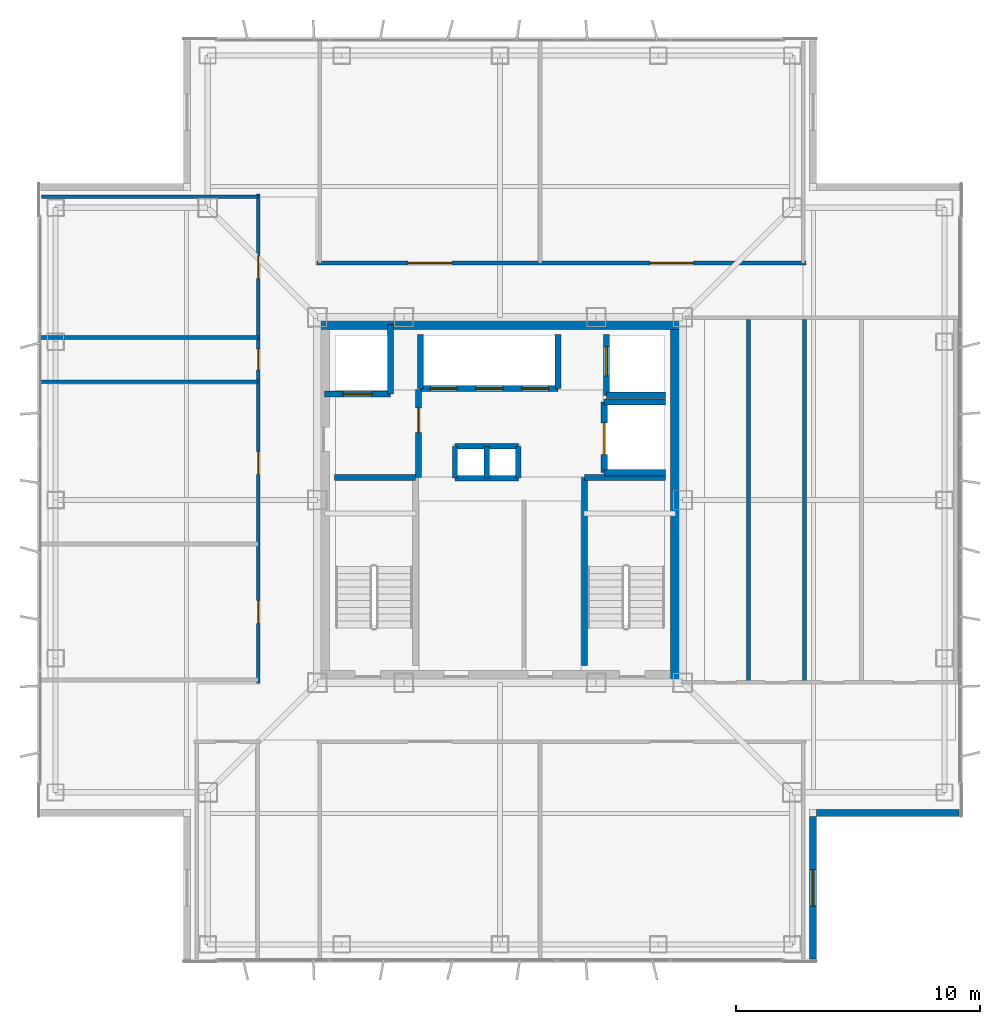
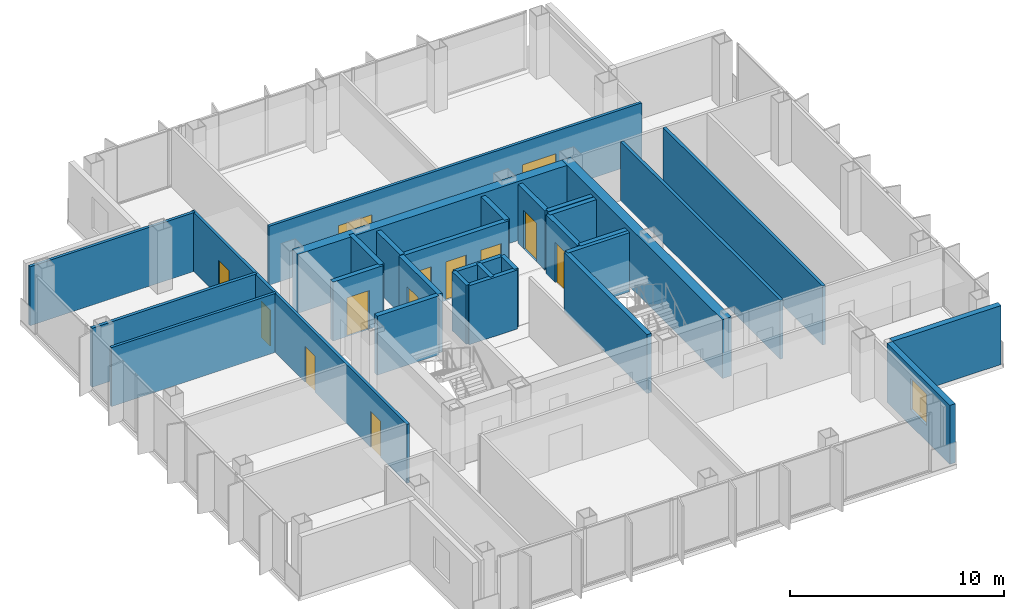
# One storey, part 8 of 15: 30 walls, 13 doors, 1 window, 14 openings.
"""IFC4 building model written with IfcOpenShell, lengths in metres."""

from ifc_helpers import new_model, si_unit, direction, frame, frame_2d, origin, place, context, subcontext, project, spatial, rectangle, extrude, material, layer, layer_set, type_object, element, fill, save


model = new_model("IFC4")

# Units and contexts
model_context = context("Model", 3, precision=1e-05, world=origin(), true_north=direction((0.0, 1.0)))
body_context = subcontext(model_context, "Body", "Model", "MODEL_VIEW")
ifc_project = project(units=[si_unit("LENGTHUNIT", "METRE"), si_unit("AREAUNIT", "SQUARE_METRE"), si_unit("VOLUMEUNIT", "CUBIC_METRE"), si_unit("PLANEANGLEUNIT", "RADIAN"), si_unit("MASSUNIT", "GRAM", prefix="KILO")], contexts=[model_context])

# Site, building, storey
site_placement = place(None, origin())
site = spatial("IfcSite", under=ifc_project, at=site_placement, CompositionType="ELEMENT")
building_placement = place(site_placement, origin())
building = spatial("IfcBuilding", under=site, at=building_placement, Name="Trevonay Congress Spire", CompositionType="ELEMENT")
storey_placement = place(building_placement, frame((0.0, 0.0, 282.800048828125)))
storey = spatial("IfcBuildingStorey", under=building, at=storey_placement, Name="L74", CompositionType="ELEMENT", Elevation=282.800048828125)

# Walls
ifc_material_1 = material(Name="Concrete C50/60", Category="concrete")
ifc_layer_1 = layer(ifc_material_1, 0.5, Name="Concrete C50/60")
ifc_layer_set_1 = layer_set([ifc_layer_1], Name="Concrete C50/60")
wall_type_1 = type_object("IfcWallType", Name="WAL-CORE-500", PredefinedType="SHEAR", material=ifc_layer_set_1)
for number, where, z_axis, x_axis, name in (
    (1, (-7.5, 7.25, 0.0), (0.0, 0.0, 1.0), (1.0, 0.0, 0.0), "L74 North structural core shear wall"),
    (2, (7.25, -7.5, 0.0), (0.0, 0.0, 1.0), (0.0, 1.0, 0.0), "L74 East structural core shear wall"),
):
    element("IfcWall", number, at=place(storey_placement, frame(where, z_axis=z_axis, x_axis=x_axis)), inside=storey, type_object=wall_type_1, Name=name, PredefinedType="SHEAR", context=body_context, shape_type="SweptSolid", body=[
        extrude(rectangle(XDim=15.0, YDim=0.5, at=frame_2d((7.5, 0.0))), origin(), (0.0, 0.0, 1.0), 3.35986328125),
    ])

# Wall, openings, doors
ifc_material_2 = material(Name="Concrete C40/50", Category="concrete")
ifc_layer_2 = layer(ifc_material_2, 0.14990234375, Name="Concrete C40/50")
ifc_layer_set_2 = layer_set([ifc_layer_2], Name="Concrete C40/50")
wall_type_2 = type_object("IfcWallType", Name="WAL-CORR-150", PredefinedType="PARTITIONING", material=ifc_layer_set_2)
wall_1_placement = place(storey_placement, frame((-9.929931640625, -7.52001953125, 0.0), z_axis=(0.0, 0.0, 1.0), x_axis=(0.0, 1.0, 0.0)))
wall_1 = element("IfcWall", 3, at=wall_1_placement, inside=storey, type_object=wall_type_2, Name="L74 interior wall WP-L74NW-COR", PredefinedType="PARTITIONING", context=body_context, shape_type="SweptSolid", body=[
    extrude(rectangle(XDim=20.090087890625, YDim=0.14990234375, at=frame_2d((10.044921875, 0.0))), origin(), (0.0, 0.0, 1.0), 3.35986328125),
])
opening_1_placement = place(wall_1_placement, frame((2.445068359375, 0.0, 0.0)))
opening_1 = element("IfcOpeningElement", 4, at=opening_1_placement, cuts=wall_1, Name="Opening D07", PredefinedType="OPENING", context=body_context, shape_type="SweptSolid", body=[
    extrude(rectangle(XDim=0.949951171875, YDim=2.06005859375, at=frame_2d((0.47509765625, 1.030029296875))), frame((0.0, 0.0849609375, 0.0), z_axis=(0.0, -1.0, 0.0), x_axis=(1.0, 0.0, 0.0)), (0.0, 0.0, 1.0), 0.169921875),
])
opening_2_placement = place(wall_1_placement, frame((8.570068359375, 0.0, 0.0)))
opening_2 = element("IfcOpeningElement", 5, at=opening_2_placement, cuts=wall_1, Name="Opening D07", PredefinedType="OPENING", context=body_context, shape_type="SweptSolid", body=[
    extrude(rectangle(XDim=0.949951171875, YDim=2.06005859375, at=frame_2d((0.47509765625, 1.030029296875))), frame((0.0, 0.0849609375, 0.0), z_axis=(0.0, -1.0, 0.0), x_axis=(1.0, 0.0, 0.0)), (0.0, 0.0, 1.0), 0.169921875),
])
opening_3_placement = place(wall_1_placement, frame((12.860107421875, 0.0, 0.0)))
opening_3 = element("IfcOpeningElement", 6, at=opening_3_placement, cuts=wall_1, Name="Opening D10", PredefinedType="OPENING", context=body_context, shape_type="SweptSolid", body=[
    extrude(rectangle(XDim=0.85009765625, YDim=2.050048828125, at=frame_2d((0.425048828125, 1.02490234375))), frame((0.0, 0.0849609375, 0.0), z_axis=(0.0, -1.0, 0.0), x_axis=(1.0, 0.0, 0.0)), (0.0, 0.0, 1.0), 0.169921875),
])
opening_4_placement = place(wall_1_placement, frame((16.610107421875, 0.0, 0.0)))
opening_4 = element("IfcOpeningElement", 7, at=opening_4_placement, cuts=wall_1, Name="Opening D07", PredefinedType="OPENING", context=body_context, shape_type="SweptSolid", body=[
    extrude(rectangle(XDim=0.949951171875, YDim=2.06005859375, at=frame_2d((0.47509765625, 1.030029296875))), frame((0.0, 0.0849609375, 0.0), z_axis=(0.0, -1.0, 0.0), x_axis=(1.0, 0.0, 0.0)), (0.0, 0.0, 1.0), 0.169921875),
])
ifc_material_3 = material(Name="Pale Anodised Aluminium EN AW-6063-T6", Category="aluminium")
door_type_1 = type_object("IfcDoorType", Name="DOR-OFFICE-95", OperationType="NOTDEFINED", PredefinedType="DOOR", material=ifc_material_3)
door_1_placement = place(opening_1_placement, origin())
door_1 = element("IfcDoor", 8, at=door_1_placement, inside=storey, type_object=door_type_1, Name="L74 Green Bonds Desk Office Door", OperationType="SINGLE_SWING_LEFT", OverallHeight=2.06005859375, OverallWidth=0.949951171875, PredefinedType="DOOR", context=body_context, shape_type="SweptSolid", body=[
    extrude(rectangle(XDim=0.949951171875, YDim=2.06005859375, at=frame_2d((0.47509765625, 1.030029296875))), frame((0.0, 0.02490234375, 0.0), z_axis=(0.0, -1.0, 0.0), x_axis=(1.0, 0.0, 0.0)), (0.0, 0.0, 1.0), 0.050048828125),
])
fill(opening_1, door_1)
door_2_placement = place(opening_2_placement, origin())
door_2 = element("IfcDoor", 9, at=door_2_placement, inside=storey, type_object=door_type_1, Name="L74 Infrastructure Desk Office Door", OperationType="SINGLE_SWING_RIGHT", OverallHeight=2.06005859375, OverallWidth=0.949951171875, PredefinedType="DOOR", context=body_context, shape_type="SweptSolid", body=[
    extrude(rectangle(XDim=0.949951171875, YDim=2.06005859375, at=frame_2d((0.47509765625, 1.030029296875))), frame((0.0, 0.02490234375, 0.0), z_axis=(0.0, -1.0, 0.0), x_axis=(1.0, 0.0, 0.0)), (0.0, 0.0, 1.0), 0.050048828125),
])
fill(opening_2, door_2)
door_3_placement = place(opening_4_placement, origin())
door_3 = element("IfcDoor", 10, at=door_3_placement, inside=storey, type_object=door_type_1, Name="L74 Floor Supplies and Copy Room Door", OperationType="SINGLE_SWING_RIGHT", OverallHeight=2.06005859375, OverallWidth=0.949951171875, PredefinedType="DOOR", context=body_context, shape_type="SweptSolid", body=[
    extrude(rectangle(XDim=0.949951171875, YDim=2.06005859375, at=frame_2d((0.47509765625, 1.030029296875))), frame((0.0, 0.02490234375, 0.0), z_axis=(0.0, -1.0, 0.0), x_axis=(1.0, 0.0, 0.0)), (0.0, 0.0, 1.0), 0.050048828125),
])
fill(opening_4, door_3)
door_type_2 = type_object("IfcDoorType", Name="DOR-WC-85", OperationType="NOTDEFINED", PredefinedType="DOOR", material=ifc_material_3)
door_4_placement = place(opening_3_placement, origin())
door_4 = element("IfcDoor", 11, at=door_4_placement, inside=storey, type_object=door_type_2, Name="L74 Accessible WC Door", OperationType="SINGLE_SWING_LEFT", OverallHeight=2.050048828125, OverallWidth=0.85009765625, PredefinedType="DOOR", context=body_context, shape_type="SweptSolid", body=[
    extrude(rectangle(XDim=0.85009765625, YDim=2.050048828125, at=frame_2d((0.425048828125, 1.02490234375))), frame((0.0, 0.02490234375, 0.0), z_axis=(0.0, -1.0, 0.0), x_axis=(1.0, 0.0, 0.0)), (0.0, 0.0, 1.0), 0.050048828125),
])
fill(opening_3, door_4)

wall_2_placement = place(storey_placement, frame((-7.52001953125, 9.72998046875, 0.0), z_axis=(0.0, 0.0, 1.0), x_axis=(1.0, 0.0, 0.0)))
wall_2 = element("IfcWall", 12, at=wall_2_placement, inside=storey, type_object=wall_type_2, Name="L74 interior wall WP-L74N-COR", PredefinedType="PARTITIONING", context=body_context, shape_type="SweptSolid", body=[
    extrude(rectangle(XDim=20.090087890625, YDim=0.14990234375, at=frame_2d((10.044921875, 0.0))), origin(), (0.0, 0.0, 1.0), 3.35986328125),
])
opening_5_placement = place(wall_2_placement, frame((3.7451171875, 0.0, 0.0)))
opening_5 = element("IfcOpeningElement", 13, at=opening_5_placement, cuts=wall_2, Name="Opening D09", PredefinedType="OPENING", context=body_context, shape_type="SweptSolid", body=[
    extrude(rectangle(XDim=1.800048828125, YDim=2.080078125, at=frame_2d((0.89990234375, 1.0400390625))), frame((0.0, 0.0849609375, 0.0), z_axis=(0.0, -1.0, 0.0), x_axis=(1.0, 0.0, 0.0)), (0.0, 0.0, 1.0), 0.169921875),
])
opening_6_placement = place(wall_2_placement, frame((13.669921875, 0.0, 0.0)))
opening_6 = element("IfcOpeningElement", 14, at=opening_6_placement, cuts=wall_2, Name="Opening D09", PredefinedType="OPENING", context=body_context, shape_type="SweptSolid", body=[
    extrude(rectangle(XDim=1.800048828125, YDim=2.080078125, at=frame_2d((0.89990234375, 1.0400390625))), frame((0.0, 0.0849609375, 0.0), z_axis=(0.0, -1.0, 0.0), x_axis=(1.0, 0.0, 0.0)), (0.0, 0.0, 1.0), 0.169921875),
])
door_type_3 = type_object("IfcDoorType", Name="DOR-CONF-DBL", OperationType="DOUBLE_DOOR_SINGLE_SWING", PredefinedType="DOOR", material=ifc_material_3)
door_5_placement = place(opening_5_placement, origin())
door_5 = element("IfcDoor", 15, at=door_5_placement, inside=storey, type_object=door_type_3, Name="L74 Partner Dining Room Door", OperationType="DOUBLE_DOOR_SINGLE_SWING", OverallHeight=2.080078125, OverallWidth=1.800048828125, PredefinedType="DOOR", context=body_context, shape_type="SweptSolid", body=[
    extrude(rectangle(XDim=1.800048828125, YDim=2.080078125, at=frame_2d((0.89990234375, 1.0400390625))), frame((0.0, 0.02490234375, 0.0), z_axis=(0.0, -1.0, 0.0), x_axis=(1.0, 0.0, 0.0)), (0.0, 0.0, 1.0), 0.050048828125),
])
fill(opening_5, door_5)
door_6_placement = place(opening_6_placement, origin())
door_6 = element("IfcDoor", 16, at=door_6_placement, inside=storey, type_object=door_type_3, Name="L74 Finishing Pantry Kitchen Door", OperationType="DOUBLE_DOOR_SINGLE_SWING", OverallHeight=2.080078125, OverallWidth=1.800048828125, PredefinedType="DOOR", context=body_context, shape_type="SweptSolid", body=[
    extrude(rectangle(XDim=1.800048828125, YDim=2.080078125, at=frame_2d((0.89990234375, 1.0400390625))), frame((0.0, 0.02490234375, 0.0), z_axis=(0.0, -1.0, 0.0), x_axis=(1.0, 0.0, 0.0)), (0.0, 0.0, 1.0), 0.050048828125),
])
fill(opening_6, door_6)

# Wall, opening, window
ifc_material_4 = material(Name="Precast concrete C40/50", Category="concrete")
ifc_layer_3 = layer(ifc_material_4, 0.300048828125, Name="Precast concrete C40/50")
ifc_layer_set_3 = layer_set([ifc_layer_3], Name="Precast concrete C40/50")
wall_type_3 = type_object("IfcWallType", Name="WAL-EXT-PRECAST-300", PredefinedType="SOLIDWALL", material=ifc_layer_set_3)
wall_3_placement = place(storey_placement, frame((12.85009765625, -18.85009765625, 0.0), z_axis=(0.0, 0.0, 1.0), x_axis=(0.0, 1.0, 0.0)))
wall_3 = element("IfcWall", 17, at=wall_3_placement, inside=storey, type_object=wall_type_3, Name="L74 SE re-entrant notch exterior wall 1", PredefinedType="SOLIDWALL", context=body_context, shape_type="SweptSolid", body=[
    extrude(rectangle(XDim=5.85009765625, YDim=0.300048828125, at=frame_2d((2.925048828125, 0.0))), origin(), (0.0, 0.0, 1.0), 3.35986328125),
])
opening_7_placement = place(wall_3_placement, frame((2.175048828125, 0.0, 0.89990234375)))
opening_7 = element("IfcOpeningElement", 18, at=opening_7_placement, cuts=wall_3, Name="Opening WN03", PredefinedType="OPENING", context=body_context, shape_type="SweptSolid", body=[
    extrude(rectangle(XDim=1.5, YDim=1.800048828125, at=frame_2d((0.75, 0.89990234375))), frame((0.0, 0.16015625, 0.0), z_axis=(0.0, -1.0, 0.0), x_axis=(1.0, 0.0, 0.0)), (0.0, 0.0, 1.0), 0.320068359375),
])
ifc_material_5 = material(Name="Insulated Low-E Vision Glass IGU", Category="glass")
window_type = type_object("IfcWindowType", Name="WIN-NOTCH-150X180", PartitioningType="SINGLE_PANEL", PredefinedType="WINDOW", material=ifc_material_5)
window_placement = place(opening_7_placement, origin())
window = element("IfcWindow", 19, at=window_placement, inside=storey, type_object=window_type, Name="L74 SE corner notch window", OverallHeight=1.800048828125, OverallWidth=1.5, PartitioningType="SINGLE_PANEL", PredefinedType="WINDOW", context=body_context, shape_type="SweptSolid", body=[
    extrude(rectangle(XDim=1.5, YDim=1.800048828125, at=frame_2d((0.75, 0.89990234375))), frame((0.0, 0.030029296875, 0.0), z_axis=(0.0, -1.0, 0.0), x_axis=(1.0, 0.0, 0.0)), (0.0, 0.0, 1.0), 0.06005859375),
])
fill(opening_7, window)

# Walls
wall_4_placement = place(storey_placement, frame((18.85009765625, -12.85009765625, 0.0), z_axis=(0.0, 0.0, 1.0), x_axis=(-1.0, 0.0, 0.0)))
element("IfcWall", 20, at=wall_4_placement, inside=storey, type_object=wall_type_3, Name="L74 SE re-entrant notch exterior wall 2", PredefinedType="SOLIDWALL", context=body_context, shape_type="SweptSolid", body=[
    extrude(rectangle(XDim=5.85009765625, YDim=0.300048828125, at=frame_2d((2.925048828125, 0.0))), origin(), (0.0, 0.0, 1.0), 3.35986328125),
])
ifc_layer_4 = layer(ifc_material_2, 0.14990234375, Name="Concrete C40/50")
ifc_layer_set_4 = layer_set([ifc_layer_4], Name="Concrete C40/50")
wall_type_4 = type_object("IfcWallType", Name="WAL-PART-150", PredefinedType="PARTITIONING", material=ifc_layer_set_4)
for number, where, z_axis, x_axis, name in (
    (21, (-18.820068359375, 4.85009765625, 0.0), (0.0, 0.0, 1.0), (1.0, 0.0, 0.0), "L74 interior wall WP-L74NW-DIV3"),
    (22, (-18.820068359375, 12.449951171875, 0.0), (0.0, 0.0, 1.0), (1.0, 0.0, 0.0), "L74 interior wall WP-L74NW-DIV4"),
):
    element("IfcWall", number, at=place(storey_placement, frame(where, z_axis=z_axis, x_axis=x_axis)), inside=storey, type_object=wall_type_4, Name=name, PredefinedType="PARTITIONING", context=body_context, shape_type="SweptSolid", body=[
        extrude(rectangle(XDim=8.89013671875, YDim=0.14990234375, at=frame_2d((4.445068359375, 0.0))), origin(), (0.0, 0.0, 1.0), 3.35986328125),
    ])
ifc_layer_5 = layer(ifc_material_2, 0.219970703125, Name="Concrete C40/50")
ifc_layer_set_5 = layer_set([ifc_layer_5], Name="Concrete C40/50")
wall_type_5 = type_object("IfcWallType", Name="WAL-SHAFT-220", PredefinedType="PARTITIONING", material=ifc_layer_set_5)
for number, where, z_axis, x_axis, name in (
    (23, (-1.85009765625, 2.199951171875, 0.0), (0.0, 0.0, 1.0), (1.0, 0.0, 0.0), "L74 interior shaft wall WSH-L74-RSR-N"),
    (24, (-1.85009765625, 0.89990234375, 0.0), (0.0, 0.0, 1.0), (1.0, 0.0, 0.0), "L74 interior shaft wall WSH-L74-RSR-S"),
):
    element("IfcWall", number, at=place(storey_placement, frame(where, z_axis=z_axis, x_axis=x_axis)), inside=storey, type_object=wall_type_5, Name=name, PredefinedType="PARTITIONING", context=body_context, shape_type="SweptSolid", body=[
        extrude(rectangle(XDim=2.60009765625, YDim=0.219970703125, at=frame_2d((1.300048828125, 0.0))), origin(), (0.0, 0.0, 1.0), 3.35986328125),
    ])
for number, where, z_axis, x_axis, name in (
    (25, (-0.550048828125, 0.89990234375, 0.0), (0.0, 0.0, 1.0), (0.0, 1.0, 0.0), "L74 interior shaft wall WSH-L74-RSR-M"),
    (26, (0.75, 0.89990234375, 0.0), (0.0, 0.0, 1.0), (0.0, 1.0, 0.0), "L74 interior shaft wall WSH-L74-RSR-E"),
    (27, (-1.85009765625, 0.89990234375, 0.0), (0.0, 0.0, 1.0), (0.0, 1.0, 0.0), "L74 interior shaft wall WSH-L74-RSR-W"),
):
    element("IfcWall", number, at=place(storey_placement, frame(where, z_axis=z_axis, x_axis=x_axis)), inside=storey, type_object=wall_type_5, Name=name, PredefinedType="PARTITIONING", context=body_context, shape_type="SweptSolid", body=[
        extrude(rectangle(XDim=1.300048828125, YDim=0.219970703125, at=frame_2d((0.64990234375, 0.0))), origin(), (0.0, 0.0, 1.0), 3.35986328125),
    ])

# Wall, openings, doors
ifc_layer_6 = layer(ifc_material_2, 0.25, Name="Concrete C40/50")
ifc_layer_set_6 = layer_set([ifc_layer_6], Name="Concrete C40/50")
wall_type_6 = type_object("IfcWallType", Name="WAL-SHAFT-250", PredefinedType="SHEAR", material=ifc_layer_set_6)
wall_5_placement = place(storey_placement, frame((-3.260009765625, 4.580078125, 0.0), z_axis=(0.0, 0.0, 1.0), x_axis=(1.0, 0.0, 0.0)))
wall_5 = element("IfcWall", 28, at=wall_5_placement, inside=storey, type_object=wall_type_6, Name="L74 interior shaft wall WSH-L74-B3-S", PredefinedType="SHEAR", context=body_context, shape_type="SweptSolid", body=[
    extrude(rectangle(XDim=5.639892578125, YDim=0.25, at=frame_2d((2.81982421875, 0.0))), origin(), (0.0, 0.0, 1.0), 3.35986328125),
])
opening_8_placement = place(wall_5_placement, frame((0.39990234375, 0.0, 0.0)))
opening_8 = element("IfcOpeningElement", 29, at=opening_8_placement, cuts=wall_5, Name="Opening LD03", PredefinedType="OPENING", context=body_context, shape_type="SweptSolid", body=[
    extrude(rectangle(XDim=1.10009765625, YDim=2.199951171875, at=frame_2d((0.550048828125, 1.10009765625))), frame((0.0, 0.135009765625, 0.0), z_axis=(0.0, -1.0, 0.0), x_axis=(1.0, 0.0, 0.0)), (0.0, 0.0, 1.0), 0.27001953125),
])
opening_9_placement = place(wall_5_placement, frame((2.280029296875, 0.0, 0.0)))
opening_9 = element("IfcOpeningElement", 30, at=opening_9_placement, cuts=wall_5, Name="Opening LD03", PredefinedType="OPENING", context=body_context, shape_type="SweptSolid", body=[
    extrude(rectangle(XDim=1.10009765625, YDim=2.199951171875, at=frame_2d((0.550048828125, 1.10009765625))), frame((0.0, 0.135009765625, 0.0), z_axis=(0.0, -1.0, 0.0), x_axis=(1.0, 0.0, 0.0)), (0.0, 0.0, 1.0), 0.27001953125),
])
opening_10_placement = place(wall_5_placement, frame((4.159912109375, 0.0, 0.0)))
opening_10 = element("IfcOpeningElement", 31, at=opening_10_placement, cuts=wall_5, Name="Opening LD03", PredefinedType="OPENING", context=body_context, shape_type="SweptSolid", body=[
    extrude(rectangle(XDim=1.10009765625, YDim=2.199951171875, at=frame_2d((0.550048828125, 1.10009765625))), frame((0.0, 0.135009765625, 0.0), z_axis=(0.0, -1.0, 0.0), x_axis=(1.0, 0.0, 0.0)), (0.0, 0.0, 1.0), 0.27001953125),
])
door_type_4 = type_object("IfcDoorType", Name="DOR-LIFT-LD03", OperationType="DOUBLE_DOOR_SLIDING", PredefinedType="DOOR", material=ifc_material_3)
door_7_placement = place(opening_8_placement, origin())
door_7 = element("IfcDoor", 32, at=door_7_placement, inside=storey, type_object=door_type_4, Name="L74 Passenger lift PL-07 landing door", OperationType="DOUBLE_DOOR_SLIDING", OverallHeight=2.199951171875, OverallWidth=1.10009765625, PredefinedType="DOOR", context=body_context, shape_type="SweptSolid", body=[
    extrude(rectangle(XDim=1.10009765625, YDim=2.199951171875, at=frame_2d((0.550048828125, 1.10009765625))), frame((0.0, 0.02490234375, 0.0), z_axis=(0.0, -1.0, 0.0), x_axis=(1.0, 0.0, 0.0)), (0.0, 0.0, 1.0), 0.050048828125),
])
fill(opening_8, door_7)
door_8_placement = place(opening_9_placement, origin())
door_8 = element("IfcDoor", 33, at=door_8_placement, inside=storey, type_object=door_type_4, Name="L74 Passenger lift PL-08 landing door", OperationType="DOUBLE_DOOR_SLIDING", OverallHeight=2.199951171875, OverallWidth=1.10009765625, PredefinedType="DOOR", context=body_context, shape_type="SweptSolid", body=[
    extrude(rectangle(XDim=1.10009765625, YDim=2.199951171875, at=frame_2d((0.550048828125, 1.10009765625))), frame((0.0, 0.02490234375, 0.0), z_axis=(0.0, -1.0, 0.0), x_axis=(1.0, 0.0, 0.0)), (0.0, 0.0, 1.0), 0.050048828125),
])
fill(opening_9, door_8)
door_9_placement = place(opening_10_placement, origin())
door_9 = element("IfcDoor", 34, at=door_9_placement, inside=storey, type_object=door_type_4, Name="L74 Passenger lift PL-09 landing door", OperationType="DOUBLE_DOOR_SLIDING", OverallHeight=2.199951171875, OverallWidth=1.10009765625, PredefinedType="DOOR", context=body_context, shape_type="SweptSolid", body=[
    extrude(rectangle(XDim=1.10009765625, YDim=2.199951171875, at=frame_2d((0.550048828125, 1.10009765625))), frame((0.0, 0.02490234375, 0.0), z_axis=(0.0, -1.0, 0.0), x_axis=(1.0, 0.0, 0.0)), (0.0, 0.0, 1.0), 0.050048828125),
])
fill(opening_10, door_9)

# Walls
for number, where, z_axis, x_axis, name in (
    (35, (-3.260009765625, 4.580078125, 0.0), (0.0, 0.0, 1.0), (0.0, 1.0, 0.0), "L74 interior shaft wall WSH-L74-B3-W"),
    (36, (2.3798828125, 4.580078125, 0.0), (0.0, 0.0, 1.0), (0.0, 1.0, 0.0), "L74 interior shaft wall WSH-L74-B3-E"),
):
    element("IfcWall", number, at=place(storey_placement, frame(where, z_axis=z_axis, x_axis=x_axis)), inside=storey, type_object=wall_type_6, Name=name, PredefinedType="SHEAR", context=body_context, shape_type="SweptSolid", body=[
        extrude(rectangle(XDim=2.219970703125, YDim=0.25, at=frame_2d((1.10986328125, 0.0))), origin(), (0.0, 0.0, 1.0), 3.35986328125),
    ])

# Wall, opening, door
wall_6_placement = place(storey_placement, frame((-7.199951171875, 4.35009765625, 0.0), z_axis=(0.0, 0.0, 1.0), x_axis=(1.0, 0.0, 0.0)))
wall_6 = element("IfcWall", 37, at=wall_6_placement, inside=storey, type_object=wall_type_6, Name="L74 interior shaft wall WSH-L74-FF1-S", PredefinedType="SHEAR", context=body_context, shape_type="SweptSolid", body=[
    extrude(rectangle(XDim=2.699951171875, YDim=0.25, at=frame_2d((1.35009765625, 0.0))), origin(), (0.0, 0.0, 1.0), 3.35986328125),
])
opening_11_placement = place(wall_6_placement, frame((0.75, 0.0, 0.0)))
opening_11 = element("IfcOpeningElement", 38, at=opening_11_placement, cuts=wall_6, Name="Opening LD04", PredefinedType="OPENING", context=body_context, shape_type="SweptSolid", body=[
    extrude(rectangle(XDim=1.199951171875, YDim=2.199951171875, at=frame_2d((0.60009765625, 1.10009765625))), frame((0.0, 0.135009765625, 0.0), z_axis=(0.0, -1.0, 0.0), x_axis=(1.0, 0.0, 0.0)), (0.0, 0.0, 1.0), 0.27001953125),
])
ifc_material_6 = material(Name="Steel ASTM A572 Grade 50", Category="steel")
door_type_5 = type_object("IfcDoorType", Name="DOR-LIFT-LD04", OperationType="DOUBLE_DOOR_SLIDING", PredefinedType="DOOR", material=ifc_material_6)
door_10_placement = place(opening_11_placement, origin())
door_10 = element("IfcDoor", 39, at=door_10_placement, inside=storey, type_object=door_type_5, Name="L74 Firefighting lift FFL-01 landing door", OperationType="DOUBLE_DOOR_SLIDING", OverallHeight=2.199951171875, OverallWidth=1.199951171875, PredefinedType="DOOR", context=body_context, shape_type="SweptSolid", body=[
    extrude(rectangle(XDim=1.199951171875, YDim=2.199951171875, at=frame_2d((0.60009765625, 1.10009765625))), frame((0.0, 0.02490234375, 0.0), z_axis=(0.0, -1.0, 0.0), x_axis=(1.0, 0.0, 0.0)), (0.0, 0.0, 1.0), 0.050048828125),
])
fill(opening_11, door_10)

# Walls
wall_7_placement = place(storey_placement, frame((-4.5, 4.35009765625, 0.0), z_axis=(0.0, 0.0, 1.0), x_axis=(0.0, 1.0, 0.0)))
element("IfcWall", 40, at=wall_7_placement, inside=storey, type_object=wall_type_6, Name="L74 interior shaft wall WSH-L74-FF1-E", PredefinedType="SHEAR", context=body_context, shape_type="SweptSolid", body=[
    extrude(rectangle(XDim=2.849853515625, YDim=0.25, at=frame_2d((1.4248046875, 0.0))), origin(), (0.0, 0.0, 1.0), 3.35986328125),
])
wall_8_placement = place(storey_placement, frame((4.3798828125, 4.300048828125, 0.0), z_axis=(0.0, 0.0, 1.0), x_axis=(1.0, 0.0, 0.0)))
element("IfcWall", 41, at=wall_8_placement, inside=storey, type_object=wall_type_6, Name="L74 interior shaft wall WSH-L74-FF2-S", PredefinedType="SHEAR", context=body_context, shape_type="SweptSolid", body=[
    extrude(rectangle(XDim=2.420166015625, YDim=0.25, at=frame_2d((1.2099609375, 0.0))), origin(), (0.0, 0.0, 1.0), 3.35986328125),
])

# Wall, opening, door
wall_9_placement = place(storey_placement, frame((4.3798828125, 4.300048828125, 0.0), z_axis=(0.0, 0.0, 1.0), x_axis=(0.0, 1.0, 0.0)))
wall_9 = element("IfcWall", 42, at=wall_9_placement, inside=storey, type_object=wall_type_6, Name="L74 interior shaft wall WSH-L74-FF2-W", PredefinedType="SHEAR", context=body_context, shape_type="SweptSolid", body=[
    extrude(rectangle(XDim=2.5, YDim=0.25, at=frame_2d((1.25, 0.0))), origin(), (0.0, 0.0, 1.0), 3.35986328125),
])
opening_12_placement = place(wall_9_placement, frame((0.800048828125, 0.0, 0.0)))
opening_12 = element("IfcOpeningElement", 43, at=opening_12_placement, cuts=wall_9, Name="Opening LD04", PredefinedType="OPENING", context=body_context, shape_type="SweptSolid", body=[
    extrude(rectangle(XDim=1.199951171875, YDim=2.199951171875, at=frame_2d((0.60009765625, 1.10009765625))), frame((0.0, 0.135009765625, 0.0), z_axis=(0.0, -1.0, 0.0), x_axis=(1.0, 0.0, 0.0)), (0.0, 0.0, 1.0), 0.27001953125),
])
door_11_placement = place(opening_12_placement, origin())
door_11 = element("IfcDoor", 44, at=door_11_placement, inside=storey, type_object=door_type_5, Name="L74 Firefighting lift FFL-02 landing door", OperationType="DOUBLE_DOOR_SLIDING", OverallHeight=2.199951171875, OverallWidth=1.199951171875, PredefinedType="DOOR", context=body_context, shape_type="SweptSolid", body=[
    extrude(rectangle(XDim=1.199951171875, YDim=2.199951171875, at=frame_2d((0.60009765625, 1.10009765625))), frame((0.0, 0.02490234375, 0.0), z_axis=(0.0, -1.0, 0.0), x_axis=(1.0, 0.0, 0.0)), (0.0, 0.0, 1.0), 0.050048828125),
])
fill(opening_12, door_11)

wall_10_placement = place(storey_placement, frame((4.280029296875, 1.1201171875, 0.0), z_axis=(0.0, 0.0, 1.0), x_axis=(0.0, 1.0, 0.0)))
wall_10 = element("IfcWall", 45, at=wall_10_placement, inside=storey, type_object=wall_type_6, Name="L74 interior shaft wall WSH-L74-SV-W", PredefinedType="SHEAR", context=body_context, shape_type="SweptSolid", body=[
    extrude(rectangle(XDim=2.89990234375, YDim=0.25, at=frame_2d((1.449951171875, 0.0))), origin(), (0.0, 0.0, 1.0), 3.35986328125),
])
opening_13_placement = place(wall_10_placement, frame((0.75, 0.0, 0.0)))
opening_13 = element("IfcOpeningElement", 46, at=opening_13_placement, cuts=wall_10, Name="Opening LD05", PredefinedType="OPENING", context=body_context, shape_type="SweptSolid", body=[
    extrude(rectangle(XDim=1.300048828125, YDim=2.300048828125, at=frame_2d((0.64990234375, 1.14990234375))), frame((0.0, 0.135009765625, 0.0), z_axis=(0.0, -1.0, 0.0), x_axis=(1.0, 0.0, 0.0)), (0.0, 0.0, 1.0), 0.27001953125),
])
door_type_6 = type_object("IfcDoorType", Name="DOR-LIFT-LD05", OperationType="DOUBLE_DOOR_SLIDING", PredefinedType="DOOR", material=ifc_material_6)
door_12_placement = place(opening_13_placement, origin())
door_12 = element("IfcDoor", 47, at=door_12_placement, inside=storey, type_object=door_type_6, Name="L74 Goods lift SVL-01 landing door", OperationType="DOUBLE_DOOR_SLIDING", OverallHeight=2.300048828125, OverallWidth=1.300048828125, PredefinedType="DOOR", context=body_context, shape_type="SweptSolid", body=[
    extrude(rectangle(XDim=1.300048828125, YDim=2.300048828125, at=frame_2d((0.64990234375, 1.14990234375))), frame((0.0, 0.02490234375, 0.0), z_axis=(0.0, -1.0, 0.0), x_axis=(1.0, 0.0, 0.0)), (0.0, 0.0, 1.0), 0.050048828125),
])
fill(opening_13, door_12)

# Walls
for number, where, z_axis, x_axis, name in (
    (48, (4.280029296875, 1.1201171875, 0.0), (0.0, 0.0, 1.0), (1.0, 0.0, 0.0), "L74 interior shaft wall WSH-L74-SV-S"),
    (49, (4.280029296875, 4.02001953125, 0.0), (0.0, 0.0, 1.0), (1.0, 0.0, 0.0), "L74 interior shaft wall WSH-L74-SV-N"),
):
    element("IfcWall", number, at=place(storey_placement, frame(where, z_axis=z_axis, x_axis=x_axis)), inside=storey, type_object=wall_type_6, Name=name, PredefinedType="SHEAR", context=body_context, shape_type="SweptSolid", body=[
        extrude(rectangle(XDim=2.52001953125, YDim=0.25, at=frame_2d((1.260009765625, 0.0))), origin(), (0.0, 0.0, 1.0), 3.35986328125),
    ])

# Wall, opening, door
wall_11_placement = place(storey_placement, frame((-3.35009765625, 0.919921875, 0.0), z_axis=(0.0, 0.0, 1.0), x_axis=(0.0, 1.0, 0.0)))
wall_11 = element("IfcWall", 50, at=wall_11_placement, inside=storey, type_object=wall_type_6, Name="L74 interior wall CW-FFLW-E-L74", PredefinedType="SHEAR", context=body_context, shape_type="SweptSolid", body=[
    extrude(rectangle(XDim=3.6201171875, YDim=0.25, at=frame_2d((1.81005859375, 0.0))), origin(), (0.0, 0.0, 1.0), 3.35986328125),
])
opening_14_placement = place(wall_11_placement, frame((1.85009765625, 0.0, 0.0)))
opening_14 = element("IfcOpeningElement", 51, at=opening_14_placement, cuts=wall_11, Name="Opening D06", PredefinedType="OPENING", context=body_context, shape_type="SweptSolid", body=[
    extrude(rectangle(XDim=1.0, YDim=2.080078125, at=frame_2d((0.5, 1.0400390625))), frame((0.0, 0.135009765625, 0.0), z_axis=(0.0, -1.0, 0.0), x_axis=(1.0, 0.0, 0.0)), (0.0, 0.0, 1.0), 0.27001953125),
])
door_type_7 = type_object("IfcDoorType", Name="DOR-FIRE-100", OperationType="NOTDEFINED", PredefinedType="DOOR", material=ifc_material_6)
door_13_placement = place(opening_14_placement, origin())
door_13 = element("IfcDoor", 52, at=door_13_placement, inside=storey, type_object=door_type_7, Name="L74 Firefighting Core Lobby Transfer Door", OperationType="SINGLE_SWING_LEFT", OverallHeight=2.080078125, OverallWidth=1.0, PredefinedType="DOOR", context=body_context, shape_type="SweptSolid", body=[
    extrude(rectangle(XDim=1.0, YDim=2.080078125, at=frame_2d((0.5, 1.0400390625))), frame((0.0, 0.02490234375, 0.0), z_axis=(0.0, -1.0, 0.0), x_axis=(1.0, 0.0, 0.0)), (0.0, 0.0, 1.0), 0.050048828125),
])
fill(opening_14, door_13)

# Walls
ifc_layer_7 = layer(ifc_material_2, 0.25, Name="Concrete C40/50")
ifc_layer_set_7 = layer_set([ifc_layer_7], Name="Concrete C40/50")
wall_type_7 = type_object("IfcWallType", Name="WAL-SHAFT-LB-250", PredefinedType="SHEAR", material=ifc_layer_set_7)
wall_12_placement = place(storey_placement, frame((-6.800048828125, 0.919921875, 0.0), z_axis=(0.0, 0.0, 1.0), x_axis=(1.0, 0.0, 0.0)))
element("IfcWall", 53, at=wall_12_placement, inside=storey, type_object=wall_type_7, Name="L74 interior shaft wall WSH-L74-ST1-N", PredefinedType="SHEAR", context=body_context, shape_type="SweptSolid", body=[
    extrude(rectangle(XDim=3.330078125, YDim=0.25, at=frame_2d((1.6650390625, 0.0))), origin(), (0.0, 0.0, 1.0), 3.35986328125),
])
wall_13_placement = place(storey_placement, frame((3.469970703125, -6.800048828125, 0.0), z_axis=(0.0, 0.0, 1.0), x_axis=(0.0, 1.0, 0.0)))
element("IfcWall", 54, at=wall_13_placement, inside=storey, type_object=wall_type_7, Name="L74 interior shaft wall WSH-L74-ST2-W", PredefinedType="SHEAR", context=body_context, shape_type="SweptSolid", body=[
    extrude(rectangle(XDim=7.719970703125, YDim=0.25, at=frame_2d((3.85986328125, 0.0))), origin(), (0.0, 0.0, 1.0), 3.35986328125),
])
wall_14_placement = place(storey_placement, frame((3.469970703125, 0.919921875, 0.0), z_axis=(0.0, 0.0, 1.0), x_axis=(1.0, 0.0, 0.0)))
element("IfcWall", 55, at=wall_14_placement, inside=storey, type_object=wall_type_7, Name="L74 interior shaft wall WSH-L74-ST2-N", PredefinedType="SHEAR", context=body_context, shape_type="SweptSolid", body=[
    extrude(rectangle(XDim=3.330078125, YDim=0.25, at=frame_2d((1.6650390625, 0.0))), origin(), (0.0, 0.0, 1.0), 3.35986328125),
])
ifc_layer_8 = layer(ifc_material_2, 0.1650390625, Name="Concrete C40/50")
ifc_layer_set_8 = layer_set([ifc_layer_8], Name="Concrete C40/50")
wall_type_8 = type_object("IfcWallType", Name="WAL-WET-165", PredefinedType="PLUMBINGWALL", material=ifc_layer_set_8)
wall_15_placement = place(storey_placement, frame((-18.820068359375, 6.679931640625, 0.0), z_axis=(0.0, 0.0, 1.0), x_axis=(1.0, 0.0, 0.0)))
element("IfcWall", 56, at=wall_15_placement, inside=storey, type_object=wall_type_8, Name="L74 interior wall WP-L74NW-WCS3", PredefinedType="PLUMBINGWALL", context=body_context, shape_type="SweptSolid", body=[
    extrude(rectangle(XDim=8.89013671875, YDim=0.1650390625, at=frame_2d((4.445068359375, 0.0))), origin(), (0.0, 0.0, 1.0), 3.35986328125),
])
for number, where, z_axis, x_axis, name in (
    (57, (10.2099609375, -7.47998046875, 0.0), (0.0, 0.0, 1.0), (0.0, 1.0, 0.0), "L74 interior wall WP-L74E-WCS1"),
    (58, (12.5, -7.47998046875, 0.0), (0.0, 0.0, 1.0), (0.0, 1.0, 0.0), "L74 interior wall WP-L74E-DIV1"),
):
    element("IfcWall", number, at=place(storey_placement, frame(where, z_axis=z_axis, x_axis=x_axis)), inside=storey, type_object=wall_type_8, Name=name, PredefinedType="PLUMBINGWALL", context=body_context, shape_type="SweptSolid", body=[
        extrude(rectangle(XDim=14.89990234375, YDim=0.1650390625, at=frame_2d((7.449951171875, 0.0))), origin(), (0.0, 0.0, 1.0), 3.35986328125),
    ])

save(model, "model.ifc")
